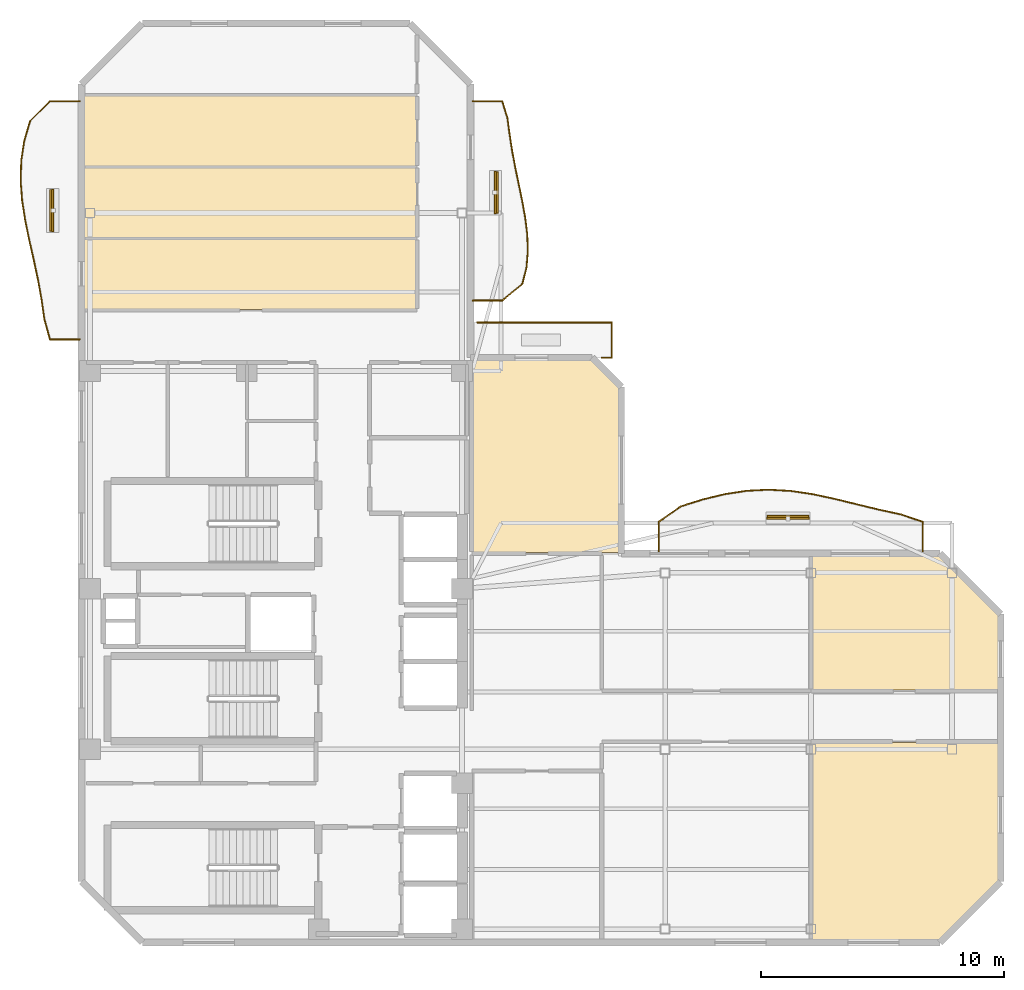
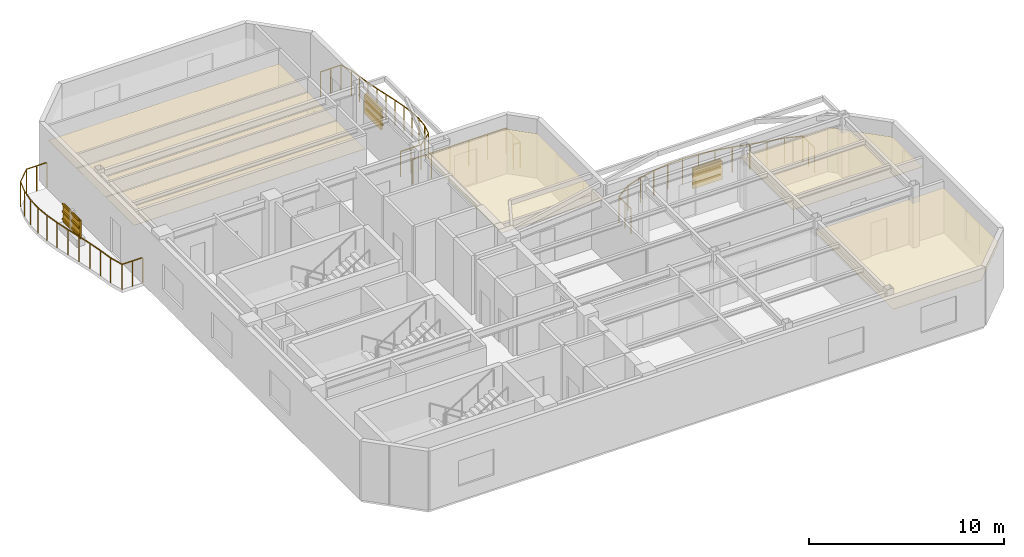
# One storey, part 7 of 8: 12 shading devices, 6 coverings, 6 railings.
"""IFC4 building model written with IfcOpenShell, lengths in metres."""

import ifcopenshell
import ifcopenshell.guid

model = None  # the IFC model being written
_history = None  # IfcOwnerHistory: only IFC2X3 demands one
_inside = {}  # id of a spatial element -> (the spatial element, [elements in it])
_under = {}  # id of a project, library or spatial element -> (it, [spatial elements below it])
_declared = {}  # id of a project -> (the project, [libraries it declares])
_typed = {}  # id of a type object -> (the type object, [elements of that type])
_made_of = {}  # id of a material, layer set ... -> (it, [elements and type objects made of it])


def new_model(schema):
    """Start an empty IFC model of exactly this schema.

    Asked for "IFC4X3", IfcOpenShell would pick the latest addendum, in which some entities
    have other attributes; the version numbers below select the first issue.
    IFC2X3 requires an IfcOwnerHistory on every rooted entity: one is made here for all.
    """
    global model, _history
    if schema == "IFC4X3":
        model = ifcopenshell.file(schema_version=(4, 3, 0, 0))
    else:
        model = ifcopenshell.file(schema=schema)
    _inside.clear()
    _under.clear()
    _declared.clear()
    _typed.clear()
    _made_of.clear()
    _history = None
    if model.schema == "IFC2X3":
        org = make("IfcOrganization", Name="unknown")
        user = make(
            "IfcPersonAndOrganization",
            ThePerson=make("IfcPerson", FamilyName="unknown"),
            TheOrganization=org,
        )
        app = make(
            "IfcApplication",
            ApplicationDeveloper=org,
            Version="unknown",
            ApplicationFullName="unknown",
            ApplicationIdentifier="unknown",
        )
        _history = make(
            "IfcOwnerHistory",
            OwningUser=user,
            OwningApplication=app,
            ChangeAction="ADDED",
            CreationDate=0,
        )
    return model


def make(cls, **values):
    """One entity of the class cls with the attributes given. An attribute that is None is left unset."""
    return model.create_entity(
        cls, **{name: value for name, value in values.items() if value is not None}
    )


def rooted(cls, **values):
    """An entity with a GlobalId (a new one), such as an element, a storey or a relation."""
    return make(cls, GlobalId=ifcopenshell.guid.new(), OwnerHistory=_history, **values)


def si_unit(unit_type, name, prefix=None):
    """IfcSIUnit, for example si_unit("LENGTHUNIT", "METRE", prefix="MILLI")."""
    return make("IfcSIUnit", UnitType=unit_type, Prefix=prefix, Name=name)


def assignment(units):
    """IfcUnitAssignment: the units of a project."""
    return None if units is None else make("IfcUnitAssignment", Units=units)


def point(xyz):
    """IfcCartesianPoint."""
    return None if xyz is None else make("IfcCartesianPoint", Coordinates=xyz)


def direction(xyz):
    """IfcDirection."""
    return None if xyz is None else make("IfcDirection", DirectionRatios=xyz)


def frame(location, z_axis=None, x_axis=None):
    """IfcAxis2Placement3D, a coordinate frame: its origin and axes. An axis left out is left unset."""
    return make(
        "IfcAxis2Placement3D",
        Location=point(location),
        Axis=direction(z_axis),
        RefDirection=direction(x_axis),
    )


def frame_2d(location, x_axis=None):
    """IfcAxis2Placement2D, a coordinate frame in the plane: its origin and x axis."""
    return make(
        "IfcAxis2Placement2D", Location=point(location), RefDirection=direction(x_axis)
    )


def origin():
    """The frame at (0, 0, 0) with its axes left unset."""
    return frame((0.0, 0.0, 0.0))


def origin_2d():
    """The frame at (0, 0) in the plane with its x axis left unset."""
    return frame_2d((0.0, 0.0))


def place(relative_to, where):
    """IfcLocalPlacement: puts the frame where relative to a parent placement (None: the world)."""
    return make(
        "IfcLocalPlacement", PlacementRelTo=relative_to, RelativePlacement=where
    )


def context(
    kind, dimensions, precision=None, world=None, true_north=None, identifier=None
):
    """IfcGeometricRepresentationContext, for example the 3D "Model" context."""
    return make(
        "IfcGeometricRepresentationContext",
        ContextIdentifier=identifier,
        ContextType=kind,
        CoordinateSpaceDimension=dimensions,
        Precision=precision,
        WorldCoordinateSystem=world,
        TrueNorth=true_north,
    )


def subcontext(parent, identifier, kind, view, scale=None):
    """IfcGeometricRepresentationSubContext, for example "Body" below "Model"."""
    return make(
        "IfcGeometricRepresentationSubContext",
        ContextIdentifier=identifier,
        ContextType=kind,
        ParentContext=parent,
        TargetScale=scale,
        TargetView=view,
    )


def project(units=None, contexts=None):
    """IfcProject with its units and contexts."""
    return rooted(
        "IfcProject",
        Name="project",
        RepresentationContexts=contexts,
        UnitsInContext=assignment(units),
    )


def spatial(cls, under=None, at=None, **own):
    """A site, building, storey or space (cls), placed at a placement, below another one or the project."""
    s = rooted(cls, ObjectPlacement=at, **own)
    if under is not None:
        _under.setdefault(under.id(), (under, []))[1].append(s)
    return s


def polyline(points):
    """IfcPolyline through the points."""
    return make("IfcPolyline", Points=[point(p) for p in points])


def profile(cls, at=None, kind="AREA", **sizes):
    """A parametric profile (cls). Its sizes go by their IFC names, for example OverallWidth=200.0."""
    return make(cls, ProfileType=kind, Position=at, **sizes)


def rectangle(**sizes):
    """IfcRectangleProfileDef."""
    return profile("IfcRectangleProfileDef", **sizes)


def outline(outer, holes=None, kind="AREA"):
    """IfcArbitraryClosedProfileDef: a profile drawn as a closed curve; with holes, ...WithVoids."""
    if holes is None:
        return make("IfcArbitraryClosedProfileDef", ProfileType=kind, OuterCurve=outer)
    return make(
        "IfcArbitraryProfileDefWithVoids",
        ProfileType=kind,
        OuterCurve=outer,
        InnerCurves=holes,
    )


def extrude(swept, where, along, depth):
    """IfcExtrudedAreaSolid: the profile swept, set in the frame where, extruded along a direction by depth."""
    return make(
        "IfcExtrudedAreaSolid",
        SweptArea=swept,
        Position=where,
        ExtrudedDirection=direction(along),
        Depth=depth,
    )


def shape(context_of_items, identifier, shape_type, items):
    """IfcShapeRepresentation: the items that make up one representation, for example the "Body"."""
    return make(
        "IfcShapeRepresentation",
        ContextOfItems=context_of_items,
        RepresentationIdentifier=identifier,
        RepresentationType=shape_type,
        Items=items,
    )


def material(Name=None, Category=None):
    """IfcMaterial."""
    return make("IfcMaterial", Name=Name, Category=Category)


def layer(
    of_material, thickness, ventilated=None, Name=None, Category=None, Priority=None
):
    """IfcMaterialLayer: one layer of a wall or slab, of a material (None: an air gap)."""
    return make(
        "IfcMaterialLayer",
        Material=of_material,
        LayerThickness=thickness,
        IsVentilated=ventilated,
        Name=Name,
        Category=Category,
        Priority=Priority,
    )


def layer_set(layers, Name=None):
    """IfcMaterialLayerSet."""
    return make("IfcMaterialLayerSet", MaterialLayers=layers, LayerSetName=Name)


def material_profile(
    of_material, cross_section, Name=None, Category=None, Priority=None
):
    """IfcMaterialProfile: a cross section and its material."""
    return make(
        "IfcMaterialProfile",
        Name=Name,
        Material=of_material,
        Profile=cross_section,
        Priority=Priority,
        Category=Category,
    )


def profile_set(profiles, Name=None, composite=None):
    """IfcMaterialProfileSet."""
    return make(
        "IfcMaterialProfileSet",
        Name=Name,
        MaterialProfiles=profiles,
        CompositeProfile=composite,
    )


def made_of(thing, what):
    """Note that an element or type object is made of a material, layer set ...; save() writes the relation."""
    if what is not None:
        _made_of.setdefault(what.id(), (what, []))[1].append(thing)
    return thing


def type_object(cls, material=None, **own):
    """A type object (cls), such as IfcWallType, which elements share."""
    return made_of(rooted(cls, **own), material)


def element(
    cls,
    number,
    at=None,
    inside=None,
    cuts=None,
    type_object=None,
    material=None,
    context=None,
    identifier="Body",
    shape_type=None,
    held_by="IfcProductDefinitionShape",
    body=None,
    shapes=None,
    **own,
):
    """One element of the class cls, such as IfcWall. Its Tag is "e" and its number.

    at: its placement. inside: the storey or other place that contains it. cuts: it is an
    opening in that element (IfcRelVoidsElement). A single representation is given by context,
    identifier, shape_type and body (its items); several are given by shapes. held_by: the class
    of the entity that holds the representations. save() writes the other relations.
    """
    e = rooted(cls, Tag="e%d" % number, ObjectPlacement=at, **own)
    if body is not None:
        shapes = [shape(context, identifier, shape_type, body)]
    if shapes is not None:
        e.Representation = make(held_by, Representations=shapes)
    if inside is not None:
        _inside.setdefault(inside.id(), (inside, []))[1].append(e)
    if cuts is not None:
        rooted(
            "IfcRelVoidsElement", RelatingBuildingElement=cuts, RelatedOpeningElement=e
        )
    if type_object is not None:
        _typed.setdefault(type_object.id(), (type_object, []))[1].append(e)
    return made_of(e, material)


def aggregate(whole, parts):
    """IfcRelAggregates: a whole, such as a stair, and the parts it consists of."""
    return rooted("IfcRelAggregates", RelatingObject=whole, RelatedObjects=parts)


def save(model, path):
    """Write the relations noted so far, then the file.

    IfcRelAggregates (storeys below a building ...), IfcRelContainedInSpatialStructure (elements
    in a storey), IfcRelDefinesByType, IfcRelAssociatesMaterial and IfcRelDeclares: one each for
    every whole, place, type object, material and project.
    """
    for whole, parts in _under.values():
        aggregate(whole, parts)
    for where, things in _inside.values():
        rooted(
            "IfcRelContainedInSpatialStructure",
            RelatedElements=things,
            RelatingStructure=where,
        )
    for kind, things in _typed.values():
        rooted("IfcRelDefinesByType", RelatedObjects=things, RelatingType=kind)
    for what, things in _made_of.values():
        rooted("IfcRelAssociatesMaterial", RelatedObjects=things, RelatingMaterial=what)
    for by, libraries in _declared.values():
        rooted("IfcRelDeclares", RelatingContext=by, RelatedDefinitions=libraries)
    model.write(path)


model = new_model("IFC4")

# Units and contexts
model_context = context("Model", 3, precision=1e-05, world=origin(), true_north=direction((0.0, 1.0)))
body_context = subcontext(model_context, "Body", "Model", "MODEL_VIEW")
ifc_project = project(units=[si_unit("LENGTHUNIT", "METRE"), si_unit("AREAUNIT", "SQUARE_METRE"), si_unit("VOLUMEUNIT", "CUBIC_METRE"), si_unit("PLANEANGLEUNIT", "RADIAN"), si_unit("MASSUNIT", "GRAM", prefix="KILO")], contexts=[model_context])

# Site, building, storey
site_placement = place(None, origin())
site = spatial("IfcSite", under=ifc_project, at=site_placement, CompositionType="ELEMENT")
building_placement = place(site_placement, origin())
building = spatial("IfcBuilding", under=site, at=building_placement, Name="Mawjaban Terraces University", CompositionType="ELEMENT")
storey_placement = place(building_placement, frame((0.0, 0.0, 259.89990234375)))
storey = spatial("IfcBuildingStorey", under=building, at=storey_placement, Name="L63", CompositionType="ELEMENT", Elevation=259.89990234375)

# Coverings
ifc_material_1 = material(Name="Acoustic mineral fibre ceiling tile", Category="masonry")
ifc_layer_1 = layer(ifc_material_1, 0.02001953125)
ifc_layer_set_1 = layer_set([ifc_layer_1], Name="Acoustic mineral fibre ceiling tile")
covering_type = type_object("IfcCoveringType", Name="AcousticMineralCeiling_20", PredefinedType="CEILING", material=ifc_layer_set_1)
covering_1_placement = place(storey_placement, frame((0.0, 0.0, 2.75)))
element("IfcCovering", 1, at=covering_1_placement, inside=storey, type_object=covering_type, Name="L63 Design Studio 4 Acoustic Ceiling", PredefinedType="CEILING", context=body_context, shape_type="SweptSolid", body=[
    extrude(outline(polyline([(52.030029296875, 0.114990234375), (57.2529296875, 0.114990234375), (59.68505859375, 2.547119140625), (59.68505859375, 8.219970703125), (52.030029296875, 8.219970703125), (52.030029296875, 0.114990234375)])), origin(), (0.0, 0.0, 1.0), 0.02001953125),
])
covering_2_placement = place(storey_placement, frame((0.0, 0.0, 2.75)))
element("IfcCovering", 2, at=covering_2_placement, inside=storey, type_object=covering_type, Name="L63 Faculty Office 5 Acoustic Ceiling", PredefinedType="CEILING", context=body_context, shape_type="SweptSolid", body=[
    extrude(outline(polyline([(59.68505859375, 10.3798828125), (59.68505859375, 13.452880859375), (57.2529296875, 15.885009765625), (52.030029296875, 15.885009765625), (52.030029296875, 10.3798828125), (59.68505859375, 10.3798828125)])), origin(), (0.0, 0.0, 1.0), 0.02001953125),
])
covering_3_placement = place(storey_placement, frame((0.0, 0.0, 2.75)))
element("IfcCovering", 3, at=covering_3_placement, inside=storey, type_object=covering_type, Name="L63 Departmental Office 6 Acoustic Ceiling", PredefinedType="CEILING", context=body_context, shape_type="SweptSolid", body=[
    extrude(outline(polyline([(22.114990234375, 28.919921875), (22.114990234375, 26.030029296875), (35.77001953125, 26.030029296875), (35.77001953125, 28.919921875), (22.114990234375, 28.919921875)])), origin(), (0.0, 0.0, 1.0), 0.02001953125),
])
covering_4_placement = place(storey_placement, frame((0.0, 0.0, 2.75)))
element("IfcCovering", 4, at=covering_4_placement, inside=storey, type_object=covering_type, Name="L63 Academic Workspace 7 Acoustic Ceiling", PredefinedType="CEILING", context=body_context, shape_type="SweptSolid", body=[
    extrude(outline(polyline([(22.114990234375, 31.8701171875), (22.114990234375, 28.97998046875), (35.77001953125, 28.97998046875), (35.77001953125, 31.8701171875), (22.114990234375, 31.8701171875)])), origin(), (0.0, 0.0, 1.0), 0.02001953125),
])
covering_5_placement = place(storey_placement, frame((0.0, 0.0, 2.75)))
element("IfcCovering", 5, at=covering_5_placement, inside=storey, type_object=covering_type, Name="L63 Faculty Office 8 Acoustic Ceiling", PredefinedType="CEILING", context=body_context, shape_type="SweptSolid", body=[
    extrude(outline(polyline([(22.114990234375, 34.820068359375), (22.114990234375, 31.929931640625), (35.77001953125, 31.929931640625), (35.77001953125, 34.820068359375), (22.114990234375, 34.820068359375)])), origin(), (0.0, 0.0, 1.0), 0.02001953125),
])
covering_6_placement = place(storey_placement, frame((0.0, 0.0, 2.75)))
element("IfcCovering", 6, at=covering_6_placement, inside=storey, type_object=covering_type, Name="L63 Terrace Collaborative Study Room Acoustic Ceiling", PredefinedType="CEILING", context=body_context, shape_type="SweptSolid", body=[
    extrude(outline(polyline([(44.0849609375, 16.030029296875), (44.0849609375, 22.802978515625), (42.952880859375, 23.93505859375), (38.080078125, 23.93505859375), (38.080078125, 16.030029296875), (44.0849609375, 16.030029296875)])), origin(), (0.0, 0.0, 1.0), 0.02001953125),
])

# Railings
ifc_material_2 = material(Name="Galvanised powder-coated steel S355", Category="steel")
railing_type = type_object("IfcRailingType", Name="BalconyBalustrade_1600", PredefinedType="BALUSTRADE", material=ifc_material_2)
railing_1_placement = place(storey_placement, frame((21.919921875, 24.800048828125, 0.0)))
element("IfcRailing", 7, at=railing_1_placement, inside=storey, type_object=railing_type, Name="L63 Balcony Guardrail west", PredefinedType="BALUSTRADE", context=body_context, shape_type="SweptSolid", body=[
    extrude(rectangle(XDim=0.048095703125, YDim=0.048095703125, at=origin_2d()), frame((0.0, 0.0, 1.576171875), z_axis=(-1.0, 0.0, 0.0), x_axis=(0.0, -1.0, 0.0)), (0.0, 0.0, 1.0), 1.219970703125),
    extrude(rectangle(XDim=0.048095703125, YDim=0.048095703125, at=origin_2d()), frame((-1.219970703125, 0.0, 1.576171875), z_axis=(-0.266455104896, 0.963847330792, 0.0), x_axis=(-0.963847330792, -0.266455104896, 0.0)), (0.0, 0.0, 1.0), 0.84765625),
    extrude(rectangle(XDim=0.048095703125, YDim=0.048095703125, at=origin_2d()), frame((-1.44580078125, 0.81689453125, 1.576171875), z_axis=(-0.143286194137, 0.989681295453, 0.0), x_axis=(-0.989681295453, -0.143286194137, 0.0)), (0.0, 0.0, 1.0), 0.82470703125),
    extrude(rectangle(XDim=0.048095703125, YDim=0.048095703125, at=origin_2d()), frame((-1.56396484375, 1.633056640625, 1.576171875), z_axis=(-0.177073222803, 0.984197680228, 0.0), x_axis=(-0.984197680228, -0.177073222803, 0.0)), (0.0, 0.0, 1.0), 0.830078125),
    extrude(rectangle(XDim=0.048095703125, YDim=0.048095703125, at=origin_2d()), frame((-1.7109375, 2.449951171875, 1.576171875), z_axis=(-0.209529088731, 0.977802414077, 0.0), x_axis=(-0.977802414077, -0.209529088731, 0.0)), (0.0, 0.0, 1.0), 0.83544921875),
    extrude(rectangle(XDim=0.048095703125, YDim=0.048095703125, at=origin_2d()), frame((-1.885986328125, 3.266845703125, 1.576171875), z_axis=(-0.219741340729, 0.975558170062, 0.0), x_axis=(-0.975558170062, -0.219741340729, 0.0)), (0.0, 0.0, 1.0), 0.836669921875),
    extrude(rectangle(XDim=0.048095703125, YDim=0.048095703125, at=origin_2d()), frame((-2.06982421875, 4.0830078125, 1.576171875), z_axis=(-0.202808821947, 0.979218352432, 0.0), x_axis=(-0.979218352432, -0.202808821947, 0.0)), (0.0, 0.0, 1.0), 0.834228515625),
    extrude(rectangle(XDim=0.048095703125, YDim=0.048095703125, at=origin_2d()), frame((-2.239013671875, 4.89990234375, 1.576171875), z_axis=(-0.153521237288, 0.988145348469, 0.0), x_axis=(-0.988145348469, -0.153521237288, 0.0)), (0.0, 0.0, 1.0), 0.826904296875),
    extrude(rectangle(XDim=0.048095703125, YDim=0.048095703125, at=origin_2d()), frame((-2.365966796875, 5.717041015625, 1.576171875), z_axis=(-0.073410010148, 0.997301845185, 0.0), x_axis=(-0.997301845185, -0.073410010148, 0.0)), (0.0, 0.0, 1.0), 0.818115234375),
    extrude(rectangle(XDim=0.048095703125, YDim=0.048095703125, at=origin_2d()), frame((-2.426025390625, 6.532958984375, 1.576171875), z_axis=(0.03076844995, 0.999526539161, 0.0), x_axis=(-0.999526539161, 0.03076844995, 0.0)), (0.0, 0.0, 1.0), 0.8173828125),
    extrude(rectangle(XDim=0.048095703125, YDim=0.048095703125, at=origin_2d()), frame((-2.40087890625, 7.349853515625, 1.576171875), z_axis=(0.148903867636, 0.988851676544, 0.0), x_axis=(-0.988851676544, 0.148903867636, 0.0)), (0.0, 0.0, 1.0), 0.826416015625),
    extrude(rectangle(XDim=0.048095703125, YDim=0.048095703125, at=origin_2d()), frame((-2.27783203125, 8.1669921875, 1.576171875), z_axis=(0.282181865523, 0.959360930396, 0.0), x_axis=(-0.959360930396, 0.282181865523, 0.0)), (0.0, 0.0, 1.0), 0.8505859375),
    extrude(rectangle(XDim=0.048095703125, YDim=0.048095703125, at=origin_2d()), frame((-2.037841796875, 8.98291015625, 1.576171875), z_axis=(0.707423467015, 0.706789953463, 0.0), x_axis=(-0.706789953463, 0.707423467015, 0.0)), (0.0, 0.0, 1.0), 1.156005859375),
    extrude(rectangle(XDim=0.048095703125, YDim=0.048095703125, at=origin_2d()), frame((-1.219970703125, 9.800048828125, 1.576171875), z_axis=(1.0, 0.0, 0.0), x_axis=(0.0, 1.0, 0.0)), (0.0, 0.0, 1.0), 1.219970703125),
    extrude(rectangle(XDim=0.0419921875, YDim=0.0419921875, at=origin_2d()), origin(), (0.0, 0.0, 1.0), 1.552001953125),
    extrude(rectangle(XDim=0.0419921875, YDim=0.0419921875, at=origin_2d()), frame((-0.60986328125, 0.0, 0.0)), (0.0, 0.0, 1.0), 1.552001953125),
    extrude(rectangle(XDim=0.0419921875, YDim=0.0419921875, at=origin_2d()), frame((-1.219970703125, 0.0, 0.0)), (0.0, 0.0, 1.0), 1.552001953125),
    extrude(rectangle(XDim=0.0419921875, YDim=0.0419921875, at=origin_2d()), frame((-1.44580078125, 0.81689453125, 0.0)), (0.0, 0.0, 1.0), 1.552001953125),
    extrude(rectangle(XDim=0.0419921875, YDim=0.0419921875, at=origin_2d()), frame((-1.56396484375, 1.633056640625, 0.0)), (0.0, 0.0, 1.0), 1.552001953125),
    extrude(rectangle(XDim=0.0419921875, YDim=0.0419921875, at=origin_2d()), frame((-1.7109375, 2.449951171875, 0.0)), (0.0, 0.0, 1.0), 1.552001953125),
    extrude(rectangle(XDim=0.0419921875, YDim=0.0419921875, at=origin_2d()), frame((-1.885986328125, 3.266845703125, 0.0)), (0.0, 0.0, 1.0), 1.552001953125),
    extrude(rectangle(XDim=0.0419921875, YDim=0.0419921875, at=origin_2d()), frame((-2.06982421875, 4.0830078125, 0.0)), (0.0, 0.0, 1.0), 1.552001953125),
    extrude(rectangle(XDim=0.0419921875, YDim=0.0419921875, at=origin_2d()), frame((-2.239013671875, 4.89990234375, 0.0)), (0.0, 0.0, 1.0), 1.552001953125),
    extrude(rectangle(XDim=0.0419921875, YDim=0.0419921875, at=origin_2d()), frame((-2.365966796875, 5.717041015625, 0.0)), (0.0, 0.0, 1.0), 1.552001953125),
    extrude(rectangle(XDim=0.0419921875, YDim=0.0419921875, at=origin_2d()), frame((-2.426025390625, 6.532958984375, 0.0)), (0.0, 0.0, 1.0), 1.552001953125),
    extrude(rectangle(XDim=0.0419921875, YDim=0.0419921875, at=origin_2d()), frame((-2.40087890625, 7.349853515625, 0.0)), (0.0, 0.0, 1.0), 1.552001953125),
    extrude(rectangle(XDim=0.0419921875, YDim=0.0419921875, at=origin_2d()), frame((-2.27783203125, 8.1669921875, 0.0)), (0.0, 0.0, 1.0), 1.552001953125),
    extrude(rectangle(XDim=0.0419921875, YDim=0.0419921875, at=origin_2d()), frame((-2.037841796875, 8.98291015625, 0.0)), (0.0, 0.0, 1.0), 1.552001953125),
    extrude(rectangle(XDim=0.0419921875, YDim=0.0419921875, at=origin_2d()), frame((-1.219970703125, 9.800048828125, 0.0)), (0.0, 0.0, 1.0), 1.552001953125),
    extrude(rectangle(XDim=0.0419921875, YDim=0.0419921875, at=origin_2d()), frame((-0.60986328125, 9.800048828125, 0.0)), (0.0, 0.0, 1.0), 1.552001953125),
    extrude(rectangle(XDim=0.0419921875, YDim=0.0419921875, at=origin_2d()), frame((0.0, 9.800048828125, 0.0)), (0.0, 0.0, 1.0), 1.552001953125),
])
railing_2_placement = place(storey_placement, frame((45.739990234375, 16.080078125, 0.0)))
element("IfcRailing", 8, at=railing_2_placement, inside=storey, type_object=railing_type, Name="L63 Balcony Guardrail inner_north", PredefinedType="BALUSTRADE", context=body_context, shape_type="SweptSolid", body=[
    extrude(rectangle(XDim=0.048095703125, YDim=0.048095703125, at=origin_2d()), frame((0.0, 0.0, 1.576171875), z_axis=(0.0, 1.0, 0.0), x_axis=(-1.0, 0.0, 0.0)), (0.0, 0.0, 1.0), 1.219970703125),
    extrude(rectangle(XDim=0.048095703125, YDim=0.048095703125, at=origin_2d()), frame((0.0, 1.219970703125, 1.576171875), z_axis=(0.818598587393, 0.574366044189, 0.0), x_axis=(-0.574366044189, 0.818598587393, 0.0)), (0.0, 0.0, 1.0), 1.10546875),
    extrude(rectangle(XDim=0.048095703125, YDim=0.048095703125, at=origin_2d()), frame((0.905029296875, 1.85498046875, 1.576171875), z_axis=(0.953555447881, 0.301217542344, 0.0), x_axis=(-0.301217542344, 0.953555447881, 0.0)), (0.0, 0.0, 1.0), 0.94921875),
    extrude(rectangle(XDim=0.048095703125, YDim=0.048095703125, at=origin_2d()), frame((1.81005859375, 2.140869140625, 1.576171875), z_axis=(0.971950074417, 0.235187271851, 0.0), x_axis=(-0.235187271851, 0.971950074417, 0.0)), (0.0, 0.0, 1.0), 0.93115234375),
    extrude(rectangle(XDim=0.048095703125, YDim=0.048095703125, at=origin_2d()), frame((2.715087890625, 2.35986328125, 1.576171875), z_axis=(0.988583457982, 0.150674306383, 0.0), x_axis=(-0.150674306383, 0.988583457982, 0.0)), (0.0, 0.0, 1.0), 0.91552734375),
    extrude(rectangle(XDim=0.048095703125, YDim=0.048095703125, at=origin_2d()), frame((3.6201171875, 2.497802734375, 1.576171875), z_axis=(0.998756367998, 0.049856969261, 0.0), x_axis=(-0.049856969261, 0.998756367998, 0.0)), (0.0, 0.0, 1.0), 0.906005859375),
    extrude(rectangle(XDim=0.048095703125, YDim=0.048095703125, at=origin_2d()), frame((4.52490234375, 2.54296875, 1.576171875), z_axis=(0.998414436842, -0.05629042819, 0.0), x_axis=(0.05629042819, 0.998414436842, 0.0)), (0.0, 0.0, 1.0), 0.906494140625),
    extrude(rectangle(XDim=0.048095703125, YDim=0.048095703125, at=origin_2d()), frame((5.429931640625, 2.491943359375, 1.576171875), z_axis=(0.989210624914, -0.146500305659, 0.0), x_axis=(0.146500305659, 0.989210624914, 0.0)), (0.0, 0.0, 1.0), 0.914794921875),
    extrude(rectangle(XDim=0.048095703125, YDim=0.048095703125, at=origin_2d()), frame((6.3349609375, 2.35791015625, 1.576171875), z_axis=(0.977767661184, -0.209691203302, 0.0), x_axis=(0.209691203302, 0.977767661184, 0.0)), (0.0, 0.0, 1.0), 0.925537109375),
    extrude(rectangle(XDim=0.048095703125, YDim=0.048095703125, at=origin_2d()), frame((7.239990234375, 2.163818359375, 1.576171875), z_axis=(0.971226853875, -0.238156247686, 0.0), x_axis=(0.238156247686, 0.971226853875, 0.0)), (0.0, 0.0, 1.0), 0.931884765625),
    extrude(rectangle(XDim=0.048095703125, YDim=0.048095703125, at=origin_2d()), frame((8.14501953125, 1.94189453125, 1.576171875), z_axis=(0.971950074417, -0.235187271851, 0.0), x_axis=(0.235187271851, 0.971950074417, 0.0)), (0.0, 0.0, 1.0), 0.93115234375),
    extrude(rectangle(XDim=0.048095703125, YDim=0.048095703125, at=origin_2d()), frame((9.050048828125, 1.722900390625, 1.576171875), z_axis=(0.977333141929, -0.211707179112, 0.0), x_axis=(0.211707179112, 0.977333141929, 0.0)), (0.0, 0.0, 1.0), 0.926025390625),
    extrude(rectangle(XDim=0.048095703125, YDim=0.048095703125, at=origin_2d()), frame((9.955078125, 1.52685546875, 1.576171875), z_axis=(0.947035595061, -0.321128606148, 0.0), x_axis=(0.321128606148, 0.947035595061, 0.0)), (0.0, 0.0, 1.0), 0.95556640625),
    extrude(rectangle(XDim=0.048095703125, YDim=0.048095703125, at=origin_2d()), frame((10.860107421875, 1.219970703125, 1.576171875), z_axis=(0.0, -1.0, 0.0), x_axis=(1.0, 0.0, 0.0)), (0.0, 0.0, 1.0), 1.219970703125),
    extrude(rectangle(XDim=0.0419921875, YDim=0.0419921875, at=origin_2d()), origin(), (0.0, 0.0, 1.0), 1.552001953125),
    extrude(rectangle(XDim=0.0419921875, YDim=0.0419921875, at=origin_2d()), frame((0.0, 0.60986328125, 0.0)), (0.0, 0.0, 1.0), 1.552001953125),
    extrude(rectangle(XDim=0.0419921875, YDim=0.0419921875, at=origin_2d()), frame((0.0, 1.219970703125, 0.0)), (0.0, 0.0, 1.0), 1.552001953125),
    extrude(rectangle(XDim=0.0419921875, YDim=0.0419921875, at=origin_2d()), frame((0.905029296875, 1.85498046875, 0.0)), (0.0, 0.0, 1.0), 1.552001953125),
    extrude(rectangle(XDim=0.0419921875, YDim=0.0419921875, at=origin_2d()), frame((1.81005859375, 2.140869140625, 0.0)), (0.0, 0.0, 1.0), 1.552001953125),
    extrude(rectangle(XDim=0.0419921875, YDim=0.0419921875, at=origin_2d()), frame((2.715087890625, 2.35986328125, 0.0)), (0.0, 0.0, 1.0), 1.552001953125),
    extrude(rectangle(XDim=0.0419921875, YDim=0.0419921875, at=origin_2d()), frame((3.6201171875, 2.497802734375, 0.0)), (0.0, 0.0, 1.0), 1.552001953125),
    extrude(rectangle(XDim=0.0419921875, YDim=0.0419921875, at=origin_2d()), frame((4.52490234375, 2.54296875, 0.0)), (0.0, 0.0, 1.0), 1.552001953125),
    extrude(rectangle(XDim=0.0419921875, YDim=0.0419921875, at=origin_2d()), frame((5.429931640625, 2.491943359375, 0.0)), (0.0, 0.0, 1.0), 1.552001953125),
    extrude(rectangle(XDim=0.0419921875, YDim=0.0419921875, at=origin_2d()), frame((6.3349609375, 2.35791015625, 0.0)), (0.0, 0.0, 1.0), 1.552001953125),
    extrude(rectangle(XDim=0.0419921875, YDim=0.0419921875, at=origin_2d()), frame((7.239990234375, 2.163818359375, 0.0)), (0.0, 0.0, 1.0), 1.552001953125),
    extrude(rectangle(XDim=0.0419921875, YDim=0.0419921875, at=origin_2d()), frame((8.14501953125, 1.94189453125, 0.0)), (0.0, 0.0, 1.0), 1.552001953125),
    extrude(rectangle(XDim=0.0419921875, YDim=0.0419921875, at=origin_2d()), frame((9.050048828125, 1.722900390625, 0.0)), (0.0, 0.0, 1.0), 1.552001953125),
    extrude(rectangle(XDim=0.0419921875, YDim=0.0419921875, at=origin_2d()), frame((9.955078125, 1.52685546875, 0.0)), (0.0, 0.0, 1.0), 1.552001953125),
    extrude(rectangle(XDim=0.0419921875, YDim=0.0419921875, at=origin_2d()), frame((10.860107421875, 1.219970703125, 0.0)), (0.0, 0.0, 1.0), 1.552001953125),
    extrude(rectangle(XDim=0.0419921875, YDim=0.0419921875, at=origin_2d()), frame((10.860107421875, 0.60986328125, 0.0)), (0.0, 0.0, 1.0), 1.552001953125),
    extrude(rectangle(XDim=0.0419921875, YDim=0.0419921875, at=origin_2d()), frame((10.860107421875, 0.0, 0.0)), (0.0, 0.0, 1.0), 1.552001953125),
])
railing_3_placement = place(storey_placement, frame((38.080078125, 26.39990234375, 0.0)))
element("IfcRailing", 9, at=railing_3_placement, inside=storey, type_object=railing_type, Name="L63 Balcony Guardrail inner_east", PredefinedType="BALUSTRADE", context=body_context, shape_type="SweptSolid", body=[
    extrude(rectangle(XDim=0.048095703125, YDim=0.048095703125, at=origin_2d()), frame((0.0, 0.0, 1.576171875), z_axis=(1.0, 0.0, 0.0), x_axis=(0.0, 1.0, 0.0)), (0.0, 0.0, 1.0), 1.219970703125),
    extrude(rectangle(XDim=0.048095703125, YDim=0.048095703125, at=origin_2d()), frame((1.219970703125, 0.0, 1.576171875), z_axis=(0.772061353687, 0.635548004594, 0.0), x_axis=(-0.635548004594, 0.772061353687, 0.0)), (0.0, 0.0, 1.0), 1.07470703125),
    extrude(rectangle(XDim=0.048095703125, YDim=0.048095703125, at=origin_2d()), frame((2.0498046875, 0.68310546875, 1.576171875), z_axis=(0.245302508256, 0.96944658411, 0.0), x_axis=(-0.96944658411, 0.245302508256, 0.0)), (0.0, 0.0, 1.0), 0.70556640625),
    extrude(rectangle(XDim=0.048095703125, YDim=0.048095703125, at=origin_2d()), frame((2.222900390625, 1.3671875, 1.576171875), z_axis=(0.080184308978, 0.996780054272, 0.0), x_axis=(-0.996780054272, 0.080184308978, 0.0)), (0.0, 0.0, 1.0), 0.68505859375),
    extrude(rectangle(XDim=0.048095703125, YDim=0.048095703125, at=origin_2d()), frame((2.27783203125, 2.050048828125, 1.576171875), z_axis=(-0.037857046283, 0.999283165097, 0.0), x_axis=(-0.999283165097, -0.037857046283, 0.0)), (0.0, 0.0, 1.0), 0.68359375),
    extrude(rectangle(XDim=0.048095703125, YDim=0.048095703125, at=origin_2d()), frame((2.251953125, 2.733154296875, 1.576171875), z_axis=(-0.123293413319, 0.992370260655, 0.0), x_axis=(-0.992370260655, -0.123293413319, 0.0)), (0.0, 0.0, 1.0), 0.689208984375),
    extrude(rectangle(XDim=0.048095703125, YDim=0.048095703125, at=origin_2d()), frame((2.1669921875, 3.4169921875, 1.576171875), z_axis=(-0.177275648492, 0.984161239052, 0.0), x_axis=(-0.984161239052, -0.177275648492, 0.0)), (0.0, 0.0, 1.0), 0.694091796875),
    extrude(rectangle(XDim=0.048095703125, YDim=0.048095703125, at=origin_2d()), frame((2.0439453125, 4.10009765625, 1.576171875), z_axis=(-0.203646836787, 0.979044414655, 0.0), x_axis=(-0.979044414655, -0.203646836787, 0.0)), (0.0, 0.0, 1.0), 0.69775390625),
    extrude(rectangle(XDim=0.048095703125, YDim=0.048095703125, at=origin_2d()), frame((1.90185546875, 4.783203125, 1.576171875), z_axis=(-0.203102635041, 0.979157453957, 0.0), x_axis=(-0.979157453957, -0.203102635041, 0.0)), (0.0, 0.0, 1.0), 0.698486328125),
    extrude(rectangle(XDim=0.048095703125, YDim=0.048095703125, at=origin_2d()), frame((1.760009765625, 5.467041015625, 1.576171875), z_axis=(-0.184415785368, 0.982848318972, 0.0), x_axis=(-0.982848318972, -0.184415785368, 0.0)), (0.0, 0.0, 1.0), 0.695068359375),
    extrude(rectangle(XDim=0.048095703125, YDim=0.048095703125, at=origin_2d()), frame((1.6318359375, 6.150146484375, 1.576171875), z_axis=(-0.153331381704, 0.988174826326, 0.0), x_axis=(-0.988174826326, -0.153331381704, 0.0)), (0.0, 0.0, 1.0), 0.69091796875),
    extrude(rectangle(XDim=0.048095703125, YDim=0.048095703125, at=origin_2d()), frame((1.52587890625, 6.8330078125, 1.576171875), z_axis=(-0.130216521711, 0.991485581072, 0.0), x_axis=(-0.991485581072, -0.130216521711, 0.0)), (0.0, 0.0, 1.0), 0.68994140625),
    extrude(rectangle(XDim=0.048095703125, YDim=0.048095703125, at=origin_2d()), frame((1.43603515625, 7.51708984375, 1.576171875), z_axis=(-0.301571661617, 0.953443513224, 0.0), x_axis=(-0.953443513224, -0.301571661617, 0.0)), (0.0, 0.0, 1.0), 0.716552734375),
    extrude(rectangle(XDim=0.048095703125, YDim=0.048095703125, at=origin_2d()), frame((1.219970703125, 8.2001953125, 1.576171875), z_axis=(-1.0, 0.0, 0.0), x_axis=(0.0, -1.0, 0.0)), (0.0, 0.0, 1.0), 1.219970703125),
    extrude(rectangle(XDim=0.0419921875, YDim=0.0419921875, at=origin_2d()), origin(), (0.0, 0.0, 1.0), 1.552001953125),
    extrude(rectangle(XDim=0.0419921875, YDim=0.0419921875, at=origin_2d()), frame((0.60986328125, 0.0, 0.0)), (0.0, 0.0, 1.0), 1.552001953125),
    extrude(rectangle(XDim=0.0419921875, YDim=0.0419921875, at=origin_2d()), frame((1.219970703125, 0.0, 0.0)), (0.0, 0.0, 1.0), 1.552001953125),
    extrude(rectangle(XDim=0.0419921875, YDim=0.0419921875, at=origin_2d()), frame((2.0498046875, 0.68310546875, 0.0)), (0.0, 0.0, 1.0), 1.552001953125),
    extrude(rectangle(XDim=0.0419921875, YDim=0.0419921875, at=origin_2d()), frame((2.222900390625, 1.3671875, 0.0)), (0.0, 0.0, 1.0), 1.552001953125),
    extrude(rectangle(XDim=0.0419921875, YDim=0.0419921875, at=origin_2d()), frame((2.27783203125, 2.050048828125, 0.0)), (0.0, 0.0, 1.0), 1.552001953125),
    extrude(rectangle(XDim=0.0419921875, YDim=0.0419921875, at=origin_2d()), frame((2.251953125, 2.733154296875, 0.0)), (0.0, 0.0, 1.0), 1.552001953125),
    extrude(rectangle(XDim=0.0419921875, YDim=0.0419921875, at=origin_2d()), frame((2.1669921875, 3.4169921875, 0.0)), (0.0, 0.0, 1.0), 1.552001953125),
    extrude(rectangle(XDim=0.0419921875, YDim=0.0419921875, at=origin_2d()), frame((2.0439453125, 4.10009765625, 0.0)), (0.0, 0.0, 1.0), 1.552001953125),
    extrude(rectangle(XDim=0.0419921875, YDim=0.0419921875, at=origin_2d()), frame((1.90185546875, 4.783203125, 0.0)), (0.0, 0.0, 1.0), 1.552001953125),
    extrude(rectangle(XDim=0.0419921875, YDim=0.0419921875, at=origin_2d()), frame((1.760009765625, 5.467041015625, 0.0)), (0.0, 0.0, 1.0), 1.552001953125),
    extrude(rectangle(XDim=0.0419921875, YDim=0.0419921875, at=origin_2d()), frame((1.6318359375, 6.150146484375, 0.0)), (0.0, 0.0, 1.0), 1.552001953125),
    extrude(rectangle(XDim=0.0419921875, YDim=0.0419921875, at=origin_2d()), frame((1.52587890625, 6.8330078125, 0.0)), (0.0, 0.0, 1.0), 1.552001953125),
    extrude(rectangle(XDim=0.0419921875, YDim=0.0419921875, at=origin_2d()), frame((1.43603515625, 7.51708984375, 0.0)), (0.0, 0.0, 1.0), 1.552001953125),
    extrude(rectangle(XDim=0.0419921875, YDim=0.0419921875, at=origin_2d()), frame((1.219970703125, 8.2001953125, 0.0)), (0.0, 0.0, 1.0), 1.552001953125),
    extrude(rectangle(XDim=0.0419921875, YDim=0.0419921875, at=origin_2d()), frame((0.60986328125, 8.2001953125, 0.0)), (0.0, 0.0, 1.0), 1.552001953125),
    extrude(rectangle(XDim=0.0419921875, YDim=0.0419921875, at=origin_2d()), frame((0.0, 8.2001953125, 0.0)), (0.0, 0.0, 1.0), 1.552001953125),
])
railing_4_placement = place(storey_placement, frame((43.39599609375, 24.050048828125, 0.0)))
element("IfcRailing", 10, at=railing_4_placement, inside=storey, type_object=railing_type, Name="L63 Terrace Guardrail TER-L63-CLIMB.1", PredefinedType="BALUSTRADE", context=body_context, shape_type="SweptSolid", body=[
    extrude(rectangle(XDim=0.048095703125, YDim=0.048095703125, at=origin_2d()), frame((0.0, 0.0, 1.576171875), z_axis=(1.0, 0.0, 0.0), x_axis=(0.0, 1.0, 0.0)), (0.0, 0.0, 1.0), 0.404052734375),
    extrude(rectangle(XDim=0.0419921875, YDim=0.0419921875, at=origin_2d()), origin(), (0.0, 0.0, 1.0), 1.552001953125),
    extrude(rectangle(XDim=0.0419921875, YDim=0.0419921875, at=origin_2d()), frame((0.404052734375, 0.0, 0.0)), (0.0, 0.0, 1.0), 1.552001953125),
])
railing_5_placement = place(storey_placement, frame((43.800048828125, 24.050048828125, 0.0)))
element("IfcRailing", 11, at=railing_5_placement, inside=storey, type_object=railing_type, Name="L63 Terrace Guardrail TER-L63-CLIMB.2", PredefinedType="BALUSTRADE", context=body_context, shape_type="SweptSolid", body=[
    extrude(rectangle(XDim=0.048095703125, YDim=0.048095703125, at=origin_2d()), frame((0.0, 0.0, 1.576171875), z_axis=(0.0, 1.0, 0.0), x_axis=(-1.0, 0.0, 0.0)), (0.0, 0.0, 1.0), 1.449951171875),
    extrude(rectangle(XDim=0.0419921875, YDim=0.0419921875, at=origin_2d()), origin(), (0.0, 0.0, 1.0), 1.552001953125),
    extrude(rectangle(XDim=0.0419921875, YDim=0.0419921875, at=origin_2d()), frame((0.0, 0.72509765625, 0.0)), (0.0, 0.0, 1.0), 1.552001953125),
    extrude(rectangle(XDim=0.0419921875, YDim=0.0419921875, at=origin_2d()), frame((0.0, 1.449951171875, 0.0)), (0.0, 0.0, 1.0), 1.552001953125),
])
railing_6_placement = place(storey_placement, frame((43.800048828125, 25.5, 0.0)))
element("IfcRailing", 12, at=railing_6_placement, inside=storey, type_object=railing_type, Name="L63 Terrace Guardrail TER-L63-CLIMB.3", PredefinedType="BALUSTRADE", context=body_context, shape_type="SweptSolid", body=[
    extrude(rectangle(XDim=0.048095703125, YDim=0.048095703125, at=origin_2d()), frame((0.0, 0.0, 1.576171875), z_axis=(-1.0, 0.0, 0.0), x_axis=(0.0, -1.0, 0.0)), (0.0, 0.0, 1.0), 5.52001953125),
    extrude(rectangle(XDim=0.0419921875, YDim=0.0419921875, at=origin_2d()), origin(), (0.0, 0.0, 1.0), 1.552001953125),
    extrude(rectangle(XDim=0.0419921875, YDim=0.0419921875, at=origin_2d()), frame((-1.10400390625, 0.0, 0.0)), (0.0, 0.0, 1.0), 1.552001953125),
    extrude(rectangle(XDim=0.0419921875, YDim=0.0419921875, at=origin_2d()), frame((-2.2080078125, 0.0, 0.0)), (0.0, 0.0, 1.0), 1.552001953125),
    extrude(rectangle(XDim=0.0419921875, YDim=0.0419921875, at=origin_2d()), frame((-3.31201171875, 0.0, 0.0)), (0.0, 0.0, 1.0), 1.552001953125),
    extrude(rectangle(XDim=0.0419921875, YDim=0.0419921875, at=origin_2d()), frame((-4.416015625, 0.0, 0.0)), (0.0, 0.0, 1.0), 1.552001953125),
    extrude(rectangle(XDim=0.0419921875, YDim=0.0419921875, at=origin_2d()), frame((-5.52001953125, 0.0, 0.0)), (0.0, 0.0, 1.0), 1.552001953125),
])

# Shading devices
ifc_material_3 = material(Name="Glazed architectural terracotta ceramic", Category="masonry")
ifc_material_profile = material_profile(ifc_material_3, rectangle(XDim=0.06494140625, YDim=0.110107421875, at=origin_2d()), Name="TBAG110X65")
ifc_profile_set = profile_set([ifc_material_profile], Name="Glazed architectural terracotta ceramic")
shading_device_type_1 = type_object("IfcShadingDeviceType", Name="TerracottaBaguette_110x65", PredefinedType="USERDEFINED", material=ifc_profile_set)
for number, where, z_axis, x_axis, name in (
    (13, (20.72900390625, 29.258056640625, 0.68017578125), (0.0, 1.0, 0.0), (-1.0, 0.0, 0.0), "L63 Horizontal Terracotta Baguette west.1"),
    (14, (20.72900390625, 29.258056640625, 1.150146484375), (0.0, 1.0, 0.0), (-1.0, 0.0, 0.0), "L63 Horizontal Terracotta Baguette west.2"),
    (15, (20.72900390625, 29.258056640625, 1.6201171875), (0.0, 1.0, 0.0), (-1.0, 0.0, 0.0), "L63 Horizontal Terracotta Baguette west.3"),
):
    element("IfcShadingDevice", number, at=place(storey_placement, frame(where, z_axis=z_axis, x_axis=x_axis)), inside=storey, type_object=shading_device_type_1, Name=name, ObjectType="BAGUETTE", PredefinedType="USERDEFINED", context=body_context, shape_type="SweptSolid", body=[
        extrude(rectangle(XDim=0.06494140625, YDim=0.110107421875, at=origin_2d()), origin(), (0.0, 0.0, 1.0), 1.699951171875),
    ])
for number, where, z_axis, x_axis, name in (
    (16, (50.202880859375, 17.5380859375, 0.68017578125), (1.0, 0.0, 0.0), (0.0, 1.0, 0.0), "L63 Horizontal Terracotta Baguette inner_north.1"),
    (17, (50.202880859375, 17.5380859375, 1.150146484375), (1.0, 0.0, 0.0), (0.0, 1.0, 0.0), "L63 Horizontal Terracotta Baguette inner_north.2"),
    (18, (50.202880859375, 17.5380859375, 1.6201171875), (1.0, 0.0, 0.0), (0.0, 1.0, 0.0), "L63 Horizontal Terracotta Baguette inner_north.3"),
):
    element("IfcShadingDevice", number, at=place(storey_placement, frame(where, z_axis=z_axis, x_axis=x_axis)), inside=storey, type_object=shading_device_type_1, Name=name, ObjectType="BAGUETTE", PredefinedType="USERDEFINED", context=body_context, shape_type="SweptSolid", body=[
        extrude(rectangle(XDim=0.06494140625, YDim=0.110107421875, at=origin_2d()), origin(), (0.0, 0.0, 1.0), 1.7001953125),
    ])
for number, where, z_axis, x_axis, name in (
    (19, (39.10693359375, 29.990966796875, 0.68017578125), (0.0, 1.0, 0.0), (-1.0, 0.0, 0.0), "L63 Horizontal Terracotta Baguette inner_east.1"),
    (20, (39.10693359375, 29.990966796875, 1.150146484375), (0.0, 1.0, 0.0), (-1.0, 0.0, 0.0), "L63 Horizontal Terracotta Baguette inner_east.2"),
    (21, (39.10693359375, 29.990966796875, 1.6201171875), (0.0, 1.0, 0.0), (-1.0, 0.0, 0.0), "L63 Horizontal Terracotta Baguette inner_east.3"),
):
    element("IfcShadingDevice", number, at=place(storey_placement, frame(where, z_axis=z_axis, x_axis=x_axis)), inside=storey, type_object=shading_device_type_1, Name=name, ObjectType="BAGUETTE", PredefinedType="USERDEFINED", context=body_context, shape_type="SweptSolid", body=[
        extrude(rectangle(XDim=0.06494140625, YDim=0.110107421875, at=origin_2d()), origin(), (0.0, 0.0, 1.0), 1.699951171875),
    ])
ifc_layer_2 = layer(ifc_material_3, 0.080078125)
ifc_layer_set_2 = layer_set([ifc_layer_2], Name="Glazed architectural terracotta ceramic")
shading_device_type_2 = type_object("IfcShadingDeviceType", Name="TerracottaScreen_Perforated", PredefinedType="USERDEFINED", material=ifc_layer_set_2)
for number, where, z_axis, x_axis, name in (
    (22, (20.81396484375, 30.10791015625, 0.440185546875), (0.0, 0.0, 1.0), (0.0, 1.0, 0.0), "L63 Balcony Perforated Terracotta Screen west"),
    (23, (51.052978515625, 17.452880859375, 0.440185546875), (0.0, 0.0, 1.0), (1.0, 0.0, 0.0), "L63 Balcony Perforated Terracotta Screen inner_north"),
    (24, (39.02197265625, 30.841064453125, 0.440185546875), (0.0, 0.0, 1.0), (0.0, 1.0, 0.0), "L63 Balcony Perforated Terracotta Screen inner_east"),
):
    element("IfcShadingDevice", number, at=place(storey_placement, frame(where, z_axis=z_axis, x_axis=x_axis)), inside=storey, type_object=shading_device_type_2, Name=name, ObjectType="SCREEN", PredefinedType="USERDEFINED", context=body_context, shape_type="SweptSolid", body=[
        extrude(rectangle(XDim=1.75, YDim=0.080078125, at=origin_2d()), origin(), (0.0, 0.0, 1.0), 1.14990234375),
    ])

save(model, "model.ifc")
